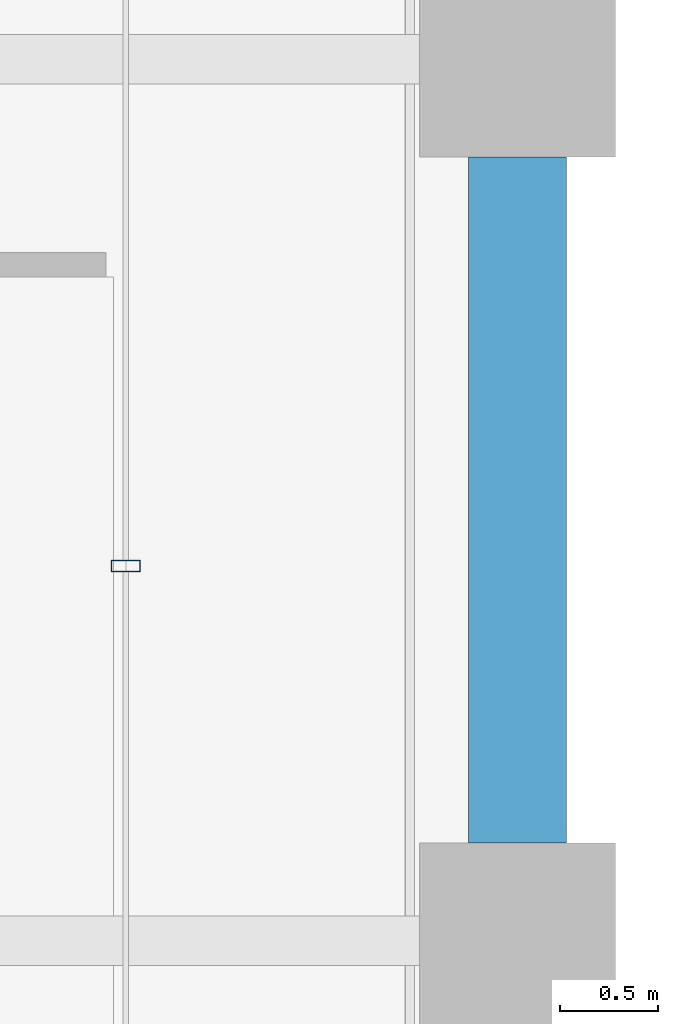
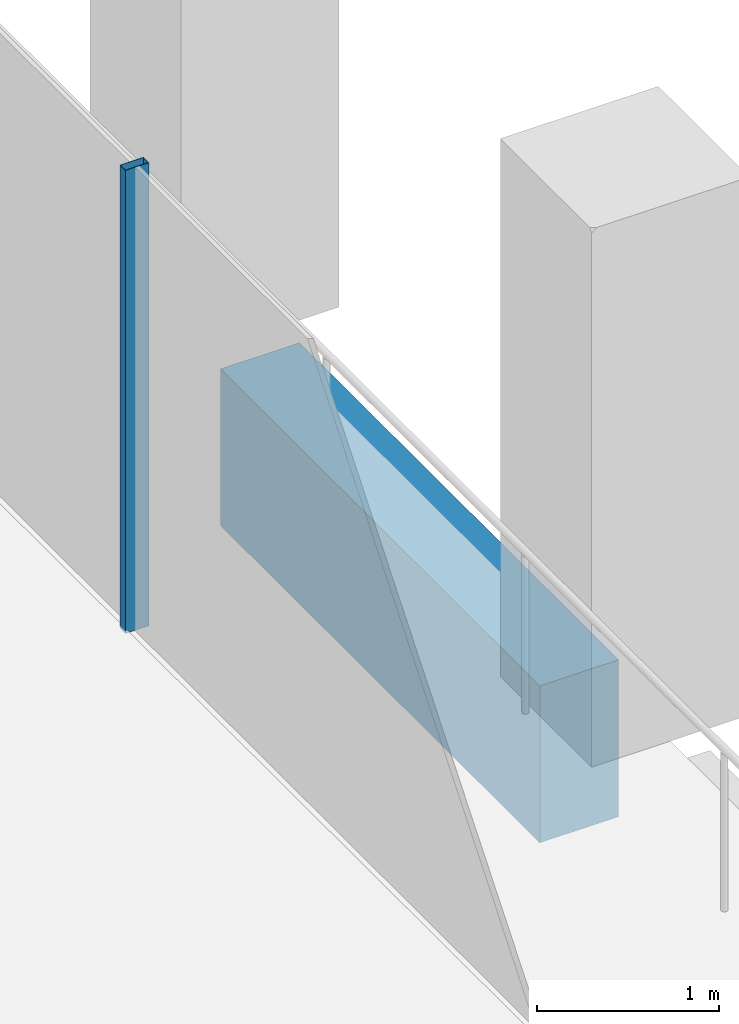
# One storey, part 17 of 46: 1 beam, 1 member, 1 element without a shape of its own.
"""IFC4 building model written with IfcOpenShell, lengths in metres."""

from ifc_helpers import new_model, si_unit, direction, frame, origin, origin_2d, place, context, subcontext, project, spatial, rectangle, hollow_rectangle, extrude, material, material_profile, profile_set, type_object, element, aggregate, save


model = new_model("IFC4")

# Units and contexts
model_context = context("Model", 3, precision=1e-05, world=origin(), true_north=direction((0.0, 1.0)))
body_context = subcontext(model_context, "Body", "Model", "MODEL_VIEW")
ifc_project = project(units=[si_unit("LENGTHUNIT", "METRE"), si_unit("AREAUNIT", "SQUARE_METRE"), si_unit("VOLUMEUNIT", "CUBIC_METRE"), si_unit("PLANEANGLEUNIT", "RADIAN"), si_unit("MASSUNIT", "GRAM", prefix="KILO")], contexts=[model_context])

# Site, building, storey
site_placement = place(None, origin())
site = spatial("IfcSite", under=ifc_project, at=site_placement, CompositionType="ELEMENT")
building_placement = place(site_placement, origin())
building = spatial("IfcBuilding", under=site, at=building_placement, Name="Altepetl Exchange Towers", CompositionType="ELEMENT")
storey_placement = place(building_placement, frame((0.0, 0.0, 106.39990234375)))
storey = spatial("IfcBuildingStorey", under=building, at=storey_placement, Name="L26", CompositionType="ELEMENT", Elevation=106.39990234375)

# Curtain wall, member
ifc_material_1 = material(Name="Aluminium 6063-T6 glazing", Category="aluminium")
curtain_wall_type = type_object("IfcCurtainWallType", Name="Loggia glazing system", PredefinedType="NOTDEFINED", material=ifc_material_1)
curtain_wall_placement = place(storey_placement, origin())
curtain_wall = element("IfcCurtainWall", 1, at=curtain_wall_placement, inside=storey, type_object=curtain_wall_type, Name="CW1 run", PredefinedType="NOTDEFINED")
ifc_material_2 = material(Name="Aluminium 6063-T6", Category="aluminium")
ifc_material_profile_1 = material_profile(ifc_material_2, hollow_rectangle(XDim=0.06005859375, YDim=0.14990234375, WallThickness=0.0029296875, at=origin_2d()), Name="Mullion 60x150 aluminium")
ifc_profile_set_1 = profile_set([ifc_material_profile_1], Name="Aluminium 6063-T6")
member_type = type_object("IfcMemberType", Name="Mullion 60x150 aluminium", PredefinedType="MULLION", material=ifc_profile_set_1)
member_placement = place(storey_placement, frame((70.0, 46.9130859375, 0.0), z_axis=(0.0, 0.0, 1.0), x_axis=(0.0, 1.0, 0.0)))
member = element("IfcMember", 2, at=member_placement, type_object=member_type, Name="MU1 mullion", PredefinedType="MULLION", context=body_context, shape_type="SweptSolid", body=[
    extrude(hollow_rectangle(XDim=0.06005859375, YDim=0.14990234375, WallThickness=0.0029296875, at=origin_2d()), origin(), (0.0, 0.0, 1.0), 3.10009765625),
])
aggregate(curtain_wall, [member])

# Beam
ifc_material_3 = material(Name="Concrete C50/60 precast with cantera amarilla facing", Category="concrete")
ifc_material_profile_2 = material_profile(ifc_material_3, rectangle(XDim=0.5, YDim=1.050048828125, at=origin_2d()), Name="500 x 1050")
ifc_profile_set_2 = profile_set([ifc_material_profile_2], Name="Concrete C50/60 precast with cantera amarilla facing")
beam_type = type_object("IfcBeamType", Name="Spandrel beam 500x1050 cantera amarilla", PredefinedType="SPANDREL", material=ifc_profile_set_2)
beam_placement = place(storey_placement, frame((72.0, 45.5, -0.6748046875), z_axis=(0.0, 1.0, 0.0), x_axis=(-1.0, 0.0, 0.0)))
element("IfcBeam", 3, at=beam_placement, inside=storey, type_object=beam_type, Name="sp:A:L26:015", PredefinedType="SPANDREL", context=body_context, shape_type="SweptSolid", body=[
    extrude(rectangle(XDim=0.5, YDim=1.050048828125, at=origin_2d()), origin(), (0.0, 0.0, 1.0), 3.5),
])

save(model, "model.ifc")
